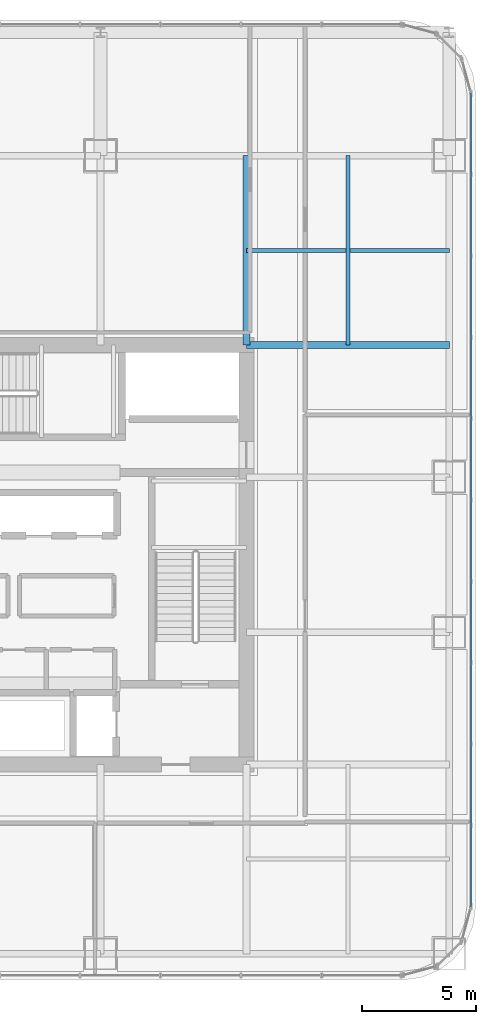
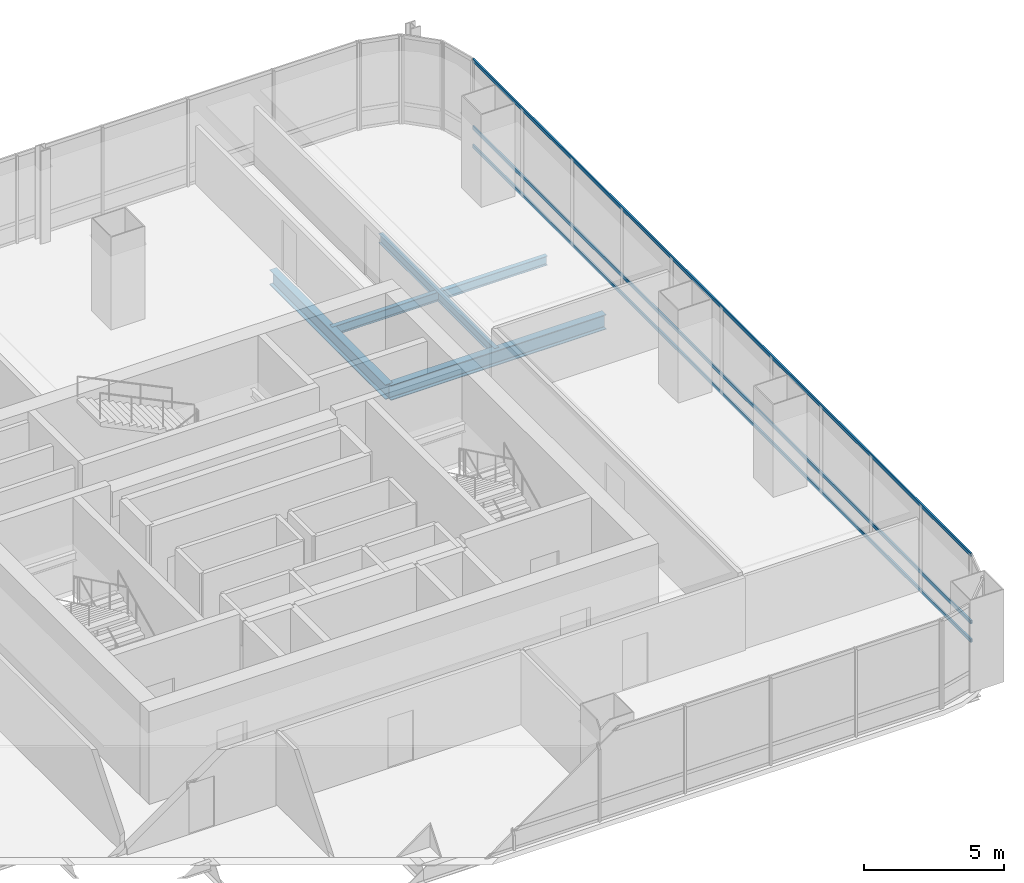
# One storey, part 17 of 37: 4 beams, 3 members, 1 element without a shape of its own.
"""IFC4 building model written with IfcOpenShell, lengths in metres."""

from ifc_helpers import new_model, si_unit, direction, frame, origin, origin_2d, place, context, subcontext, project, spatial, hollow_rectangle, i_section, extrude, material, material_profile, profile_set, type_object, element, aggregate, save


model = new_model("IFC4")

# Units and contexts
model_context = context("Model", 3, precision=1e-05, world=origin(), true_north=direction((0.0, 1.0)))
body_context = subcontext(model_context, "Body", "Model", "MODEL_VIEW")
ifc_project = project(units=[si_unit("LENGTHUNIT", "METRE"), si_unit("AREAUNIT", "SQUARE_METRE"), si_unit("VOLUMEUNIT", "CUBIC_METRE"), si_unit("PLANEANGLEUNIT", "RADIAN"), si_unit("MASSUNIT", "GRAM", prefix="KILO")], contexts=[model_context])

# Site, building, storey
site_placement = place(None, origin())
site = spatial("IfcSite", under=ifc_project, at=site_placement, CompositionType="ELEMENT")
building_placement = place(site_placement, origin())
building = spatial("IfcBuilding", under=site, at=building_placement, Name="Punatoya Terracotta Tower", CompositionType="ELEMENT")
storey_placement = place(building_placement, frame((0.0, 0.0, 164.10009765625)))
storey = spatial("IfcBuildingStorey", under=building, at=storey_placement, Name="L38", CompositionType="ELEMENT", Elevation=164.10009765625)

# Beams
ifc_material_1 = material(Name="Steel S355", Category="steel")
ifc_material_profile_1 = material_profile(ifc_material_1, i_section(OverallWidth=0.300048828125, OverallDepth=0.64990234375, WebThickness=0.01611328125, FlangeThickness=0.031005859375, FilletRadius=0.01806640625, at=origin_2d()))
ifc_profile_set_1 = profile_set([ifc_material_profile_1], Name="Steel S355")
beam_type_1 = type_object("IfcBeamType", Name="BM-PRI-650", PredefinedType="BEAM", material=ifc_profile_set_1)
beam_1_placement = place(storey_placement, frame((10.199951171875, 9.199951171875, -0.545166015625), z_axis=(1.0, 0.0, 0.0), x_axis=(0.0, 1.0, 0.0)))
element("IfcBeam", 1, at=beam_1_placement, inside=storey, type_object=beam_type_1, Name="BM-L38-PR-EN", PredefinedType="BEAM", context=body_context, shape_type="SweptSolid", body=[
    extrude(i_section(OverallWidth=0.300048828125, OverallDepth=0.64990234375, WebThickness=0.01611328125, FlangeThickness=0.031005859375, FilletRadius=0.01806640625, at=origin_2d()), origin(), (0.0, 0.0, 1.0), 8.900146484375),
])
beam_2_placement = place(storey_placement, frame((10.199951171875, 9.199951171875, -0.545166015625), z_axis=(0.0, 1.0, 0.0), x_axis=(-1.0, 0.0, 0.0)))
element("IfcBeam", 2, at=beam_2_placement, inside=storey, type_object=beam_type_1, Name="BM-L38-PR-N4", PredefinedType="BEAM", context=body_context, shape_type="SweptSolid", body=[
    extrude(i_section(OverallWidth=0.300048828125, OverallDepth=0.64990234375, WebThickness=0.01611328125, FlangeThickness=0.031005859375, FilletRadius=0.01806640625, at=origin_2d()), origin(), (0.0, 0.0, 1.0), 8.300048828125),
])
ifc_material_profile_2 = material_profile(ifc_material_1, i_section(OverallWidth=0.179931640625, OverallDepth=0.39990234375, WebThickness=0.008544921875, FlangeThickness=0.013427734375, FilletRadius=0.01806640625, at=origin_2d()))
ifc_profile_set_2 = profile_set([ifc_material_profile_2], Name="Steel S355")
beam_type_2 = type_object("IfcBeamType", Name="BM-SEC-400", PredefinedType="JOIST", material=ifc_profile_set_2)
beam_3_placement = place(storey_placement, frame((10.199951171875, 13.35009765625, -0.420166015625), z_axis=(1.0, 0.0, 0.0), x_axis=(0.0, 1.0, 0.0)))
element("IfcBeam", 3, at=beam_3_placement, inside=storey, type_object=beam_type_2, Name="BM-L38-SJN-2", PredefinedType="JOIST", context=body_context, shape_type="SweptSolid", body=[
    extrude(i_section(OverallWidth=0.179931640625, OverallDepth=0.39990234375, WebThickness=0.008544921875, FlangeThickness=0.013427734375, FilletRadius=0.01806640625, at=origin_2d()), origin(), (0.0, 0.0, 1.0), 8.900146484375),
])
beam_4_placement = place(storey_placement, frame((14.64990234375, 9.199951171875, -0.420166015625), z_axis=(0.0, 1.0, 0.0), x_axis=(-1.0, 0.0, 0.0)))
element("IfcBeam", 4, at=beam_4_placement, inside=storey, type_object=beam_type_2, Name="BM-L38-SJE-2", PredefinedType="JOIST", context=body_context, shape_type="SweptSolid", body=[
    extrude(i_section(OverallWidth=0.179931640625, OverallDepth=0.39990234375, WebThickness=0.008544921875, FlangeThickness=0.013427734375, FilletRadius=0.01806640625, at=origin_2d()), origin(), (0.0, 0.0, 1.0), 8.300048828125),
])

# Curtain wall, members
ifc_material_2 = material(Name="Aluminium 6063-T6 + Double Low-E Glass", Category="aluminium")
curtain_wall_type = type_object("IfcCurtainWallType", Name="CW-M2", PredefinedType="NOTDEFINED", material=ifc_material_2)
curtain_wall_placement = place(storey_placement, origin())
curtain_wall = element("IfcCurtainWall", 5, at=curtain_wall_placement, inside=storey, type_object=curtain_wall_type, Name="L38 Curtain Wall CW-L38-E05-1", PredefinedType="NOTDEFINED")
ifc_material_3 = material(Name="Aluminium 6063-T6", Category="aluminium")
ifc_material_profile_3 = material_profile(ifc_material_3, hollow_rectangle(XDim=0.068115234375, YDim=0.14990234375, WallThickness=0.00390625, at=origin_2d()))
ifc_profile_set_3 = profile_set([ifc_material_profile_3], Name="Aluminium 6063-T6")
member_type = type_object("IfcMemberType", Name="CW-TRN-TYP", PredefinedType="USERDEFINED", material=ifc_profile_set_3)
member_1_placement = place(storey_placement, frame((20.050048828125, -15.43701171875, 0.039794921875), z_axis=(0.0, 1.0, 0.0), x_axis=(-1.0, 0.0, 0.0)))
member_1 = element("IfcMember", 6, at=member_1_placement, type_object=member_type, Name="CW-L38-E05-1 Transom 1", ObjectType="TRANSOM", PredefinedType="USERDEFINED", context=body_context, shape_type="SweptSolid", body=[
    extrude(hollow_rectangle(XDim=0.068115234375, YDim=0.14990234375, WallThickness=0.00390625, at=origin_2d()), origin(), (0.0, 0.0, 1.0), 35.673828125),
])
member_2_placement = place(storey_placement, frame((20.050048828125, -15.43701171875, 0.849853515625), z_axis=(0.0, 1.0, 0.0), x_axis=(-1.0, 0.0, 0.0)))
member_2 = element("IfcMember", 7, at=member_2_placement, type_object=member_type, Name="CW-L38-E05-1 Transom 2", ObjectType="TRANSOM", PredefinedType="USERDEFINED", context=body_context, shape_type="SweptSolid", body=[
    extrude(hollow_rectangle(XDim=0.068115234375, YDim=0.14990234375, WallThickness=0.00390625, at=origin_2d()), origin(), (0.0, 0.0, 1.0), 35.673828125),
])
member_3_placement = place(storey_placement, frame((20.050048828125, -15.43701171875, 3.789794921875), z_axis=(0.0, 1.0, 0.0), x_axis=(-1.0, 0.0, 0.0)))
member_3 = element("IfcMember", 8, at=member_3_placement, type_object=member_type, Name="CW-L38-E05-1 Transom 3", ObjectType="TRANSOM", PredefinedType="USERDEFINED", context=body_context, shape_type="SweptSolid", body=[
    extrude(hollow_rectangle(XDim=0.068115234375, YDim=0.14990234375, WallThickness=0.00390625, at=origin_2d()), origin(), (0.0, 0.0, 1.0), 35.673828125),
])
aggregate(curtain_wall, [member_1, member_2, member_3])

save(model, "model.ifc")
